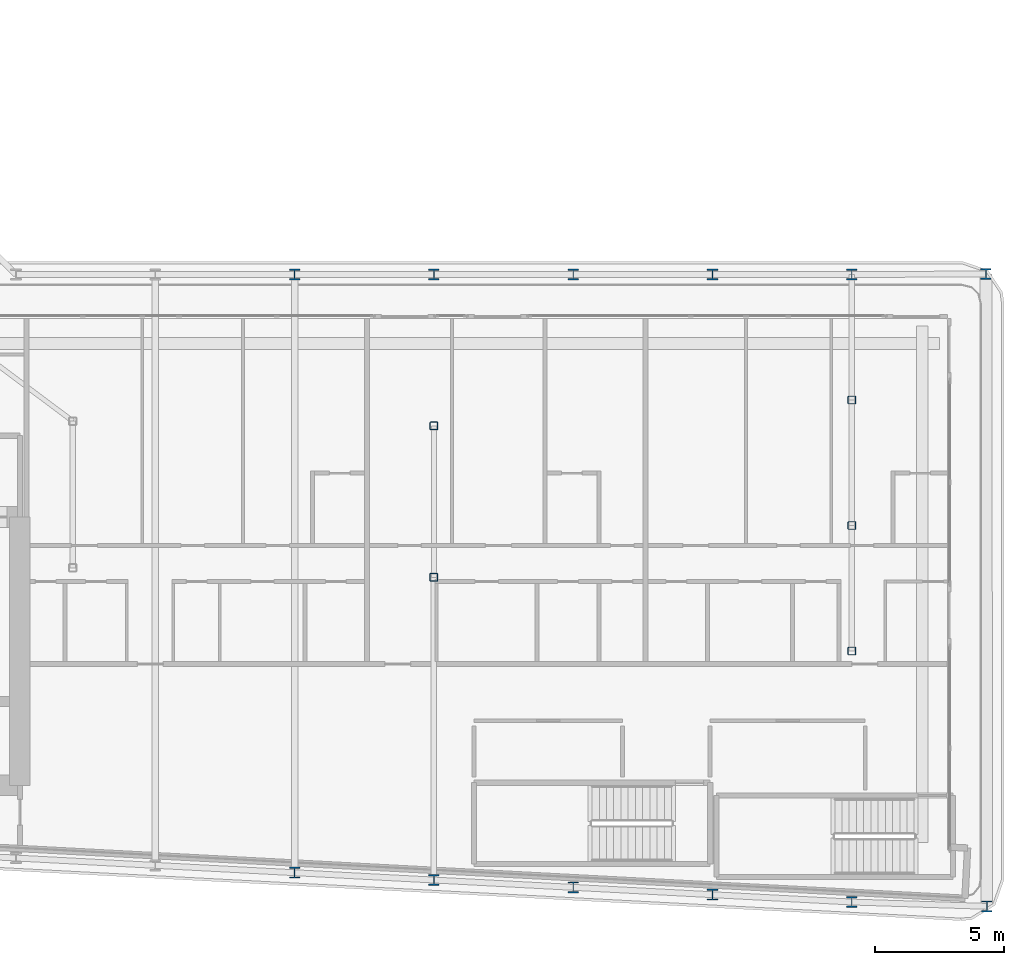
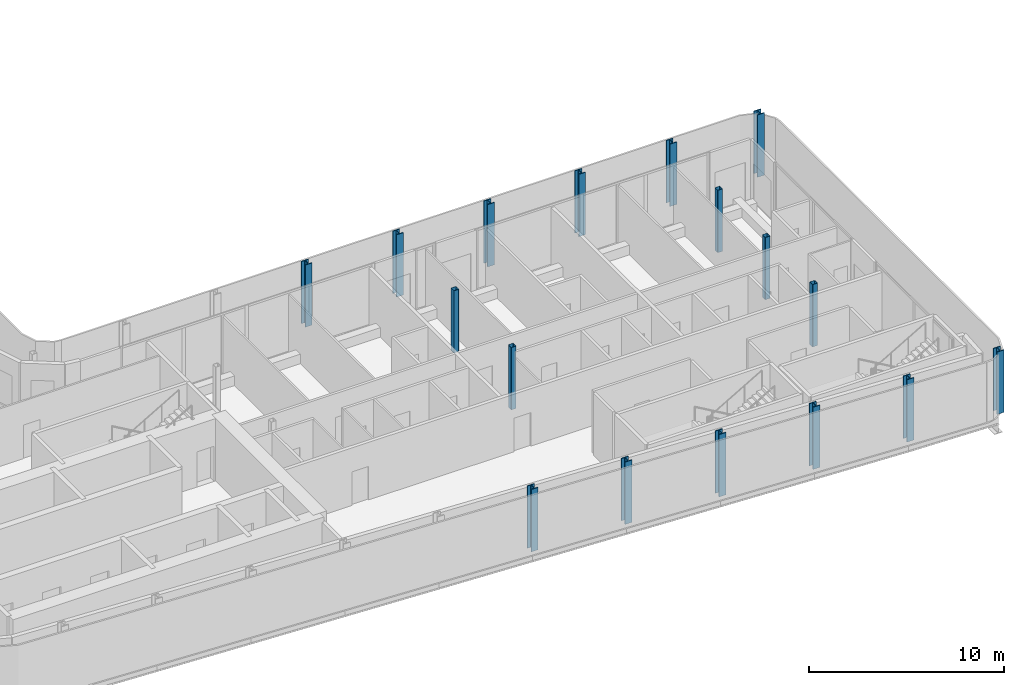
# One storey, part 2 of 24: 17 columns.
"""IFC4 building model written with IfcOpenShell, lengths in metres."""

from ifc_helpers import new_model, si_unit, direction, frame, origin, origin_2d, place, context, subcontext, project, spatial, hollow_rectangle, i_section, extrude, material, material_profile, profile_set, type_object, element, save


model = new_model("IFC4")

# Units and contexts
model_context = context("Model", 3, precision=1e-05, world=origin(), true_north=direction((0.0, 1.0)))
body_context = subcontext(model_context, "Body", "Model", "MODEL_VIEW")
ifc_project = project(units=[si_unit("LENGTHUNIT", "METRE"), si_unit("AREAUNIT", "SQUARE_METRE"), si_unit("VOLUMEUNIT", "CUBIC_METRE"), si_unit("PLANEANGLEUNIT", "RADIAN"), si_unit("MASSUNIT", "GRAM", prefix="KILO")], contexts=[model_context])

# Site, building, storey
site_placement = place(None, origin())
site = spatial("IfcSite", under=ifc_project, at=site_placement, CompositionType="ELEMENT")
building_placement = place(site_placement, origin())
building = spatial("IfcBuilding", under=site, at=building_placement, Name="Kheshtan School and Residences Tower", CompositionType="ELEMENT")
storey_placement = place(building_placement, frame((0.0, 0.0, 160.39990234375)))
storey = spatial("IfcBuildingStorey", under=building, at=storey_placement, Name="L37", CompositionType="ELEMENT", Elevation=160.39990234375)

# Columns
ifc_material_1 = material(Name="Steel ASTM A992 Grade 50", Category="steel")
ifc_material_profile_1 = material_profile(ifc_material_1, i_section(OverallWidth=0.408935546875, OverallDepth=0.425048828125, WebThickness=0.03271484375, FlangeThickness=0.052490234375, FilletRadius=0.0126953125, at=origin_2d()), Name="W360x421")
ifc_profile_set_1 = profile_set([ifc_material_profile_1], Name="Steel ASTM A992 Grade 50")
column_type_1 = type_object("IfcColumnType", Name="Column C3 W360x421 ASTM A992 Grade 50", PredefinedType="COLUMN", material=ifc_profile_set_1)
for number, where, z_axis, x_axis, name in (
    (1, (90.637939453125, 21.10693359375, 0.0), (0.0, 0.0, 1.0), (1.0, 0.0, 0.0), "Column C007"),
    (2, (85.39990234375, 21.27392578125, 0.0), (0.0, 0.0, 1.0), (1.0, 0.0, 0.0), "Column C008"),
    (3, (80.0, 21.55810546875, 0.0), (0.0, 0.0, 1.0), (1.0, 0.0, 0.0), "Column C012"),
    (4, (74.60009765625, 21.843017578125, 0.0), (0.0, 0.0, 1.0), (1.0, 0.0, 0.0), "Column C013"),
    (5, (69.199951171875, 22.126953125, 0.0), (0.0, 0.0, 1.0), (1.0, 0.0, 0.0), "Column C014"),
    (6, (63.800048828125, 22.410888671875, 0.0), (0.0, 0.0, 1.0), (1.0, 0.0, 0.0), "Column C016"),
    (7, (63.800048828125, 45.60009765625, 0.0), (0.0, 0.0, 1.0), (1.0, 0.0, 0.0), "Column C063"),
    (8, (69.199951171875, 45.60009765625, 0.0), (0.0, 0.0, 1.0), (1.0, 0.0, 0.0), "Column C064"),
    (9, (74.60009765625, 45.60009765625, 0.0), (0.0, 0.0, 1.0), (1.0, 0.0, 0.0), "Column C065"),
    (10, (80.0, 45.60009765625, 0.0), (0.0, 0.0, 1.0), (1.0, 0.0, 0.0), "Column C066"),
    (11, (85.39990234375, 45.60009765625, 0.0), (0.0, 0.0, 1.0), (1.0, 0.0, 0.0), "Column C067"),
    (12, (90.60107421875, 45.62109375, 0.0), (0.0, 0.0, 1.0), (1.0, 0.0, 0.0), "Column C075"),
):
    element("IfcColumn", number, at=place(storey_placement, frame(where, z_axis=z_axis, x_axis=x_axis)), inside=storey, type_object=column_type_1, Name=name, PredefinedType="COLUMN", context=body_context, shape_type="SweptSolid", body=[
        extrude(i_section(OverallWidth=0.408935546875, OverallDepth=0.425048828125, WebThickness=0.03271484375, FlangeThickness=0.052490234375, FilletRadius=0.0126953125, at=origin_2d()), origin(), (0.0, 0.0, 1.0), 3.900146484375),
    ])
ifc_material_2 = material(Name="Steel ASTM A500 Grade C", Category="steel")
ifc_material_profile_2 = material_profile(ifc_material_2, hollow_rectangle(XDim=0.304931640625, YDim=0.304931640625, WallThickness=0.015869140625, InnerFilletRadius=0.015869140625, OuterFilletRadius=0.03173828125, at=origin_2d()), Name="HSS 305x305x15.9")
ifc_profile_set_2 = profile_set([ifc_material_profile_2], Name="Steel ASTM A500 Grade C")
column_type_2 = type_object("IfcColumnType", Name="Column IC2 HSS 305x305x15.9 ASTM A500 Grade C", PredefinedType="COLUMN", material=ifc_profile_set_2)
for number, where, z_axis, x_axis, name in (
    (13, (85.39990234375, 31.0048828125, 0.0), (0.0, 0.0, 1.0), (1.0, 0.0, 0.0), "Column C049"),
    (14, (69.199951171875, 33.863037109375, 0.0), (0.0, 0.0, 1.0), (1.0, 0.0, 0.0), "Column C050"),
    (15, (85.39990234375, 35.8701171875, 0.0), (0.0, 0.0, 1.0), (1.0, 0.0, 0.0), "Column C053"),
    (16, (69.199951171875, 39.73193359375, 0.0), (0.0, 0.0, 1.0), (1.0, 0.0, 0.0), "Column C054"),
    (17, (85.39990234375, 40.735107421875, 0.0), (0.0, 0.0, 1.0), (1.0, 0.0, 0.0), "Column C057"),
):
    element("IfcColumn", number, at=place(storey_placement, frame(where, z_axis=z_axis, x_axis=x_axis)), inside=storey, type_object=column_type_2, Name=name, PredefinedType="COLUMN", context=body_context, shape_type="SweptSolid", body=[
        extrude(hollow_rectangle(XDim=0.304931640625, YDim=0.304931640625, WallThickness=0.015869140625, InnerFilletRadius=0.015869140625, OuterFilletRadius=0.03173828125, at=origin_2d()), origin(), (0.0, 0.0, 1.0), 3.900146484375),
    ])

save(model, "model.ifc")
